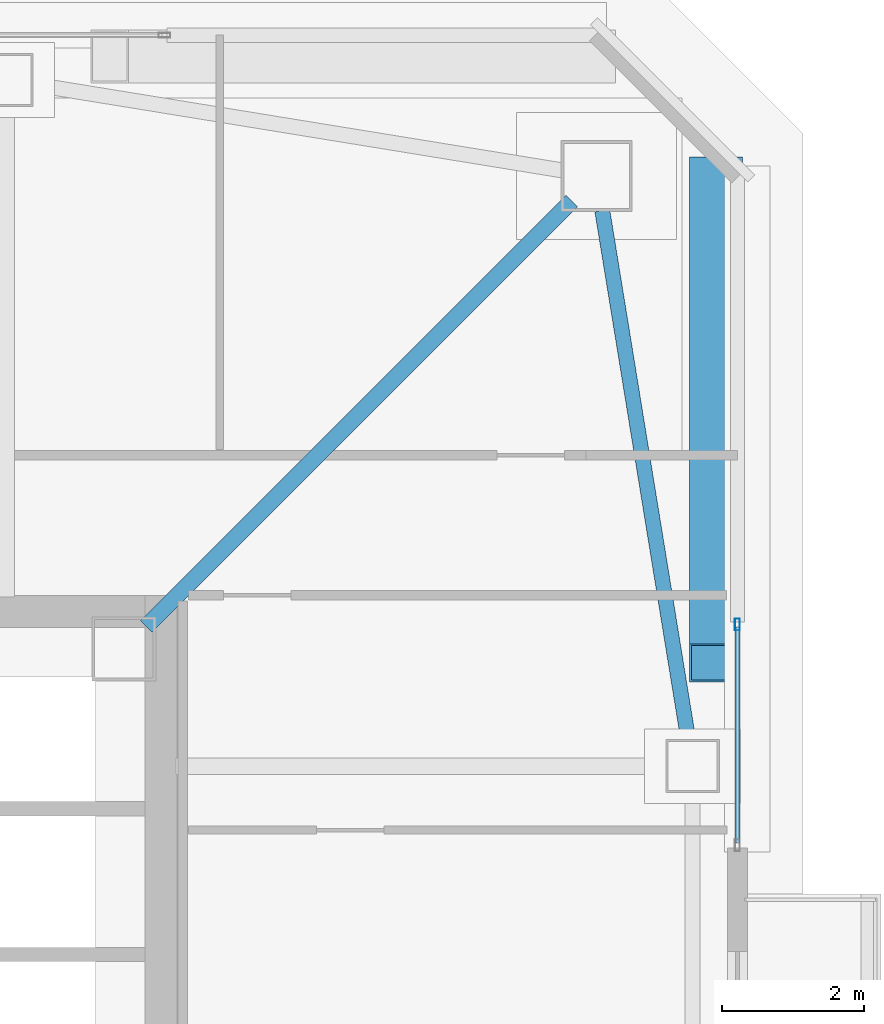
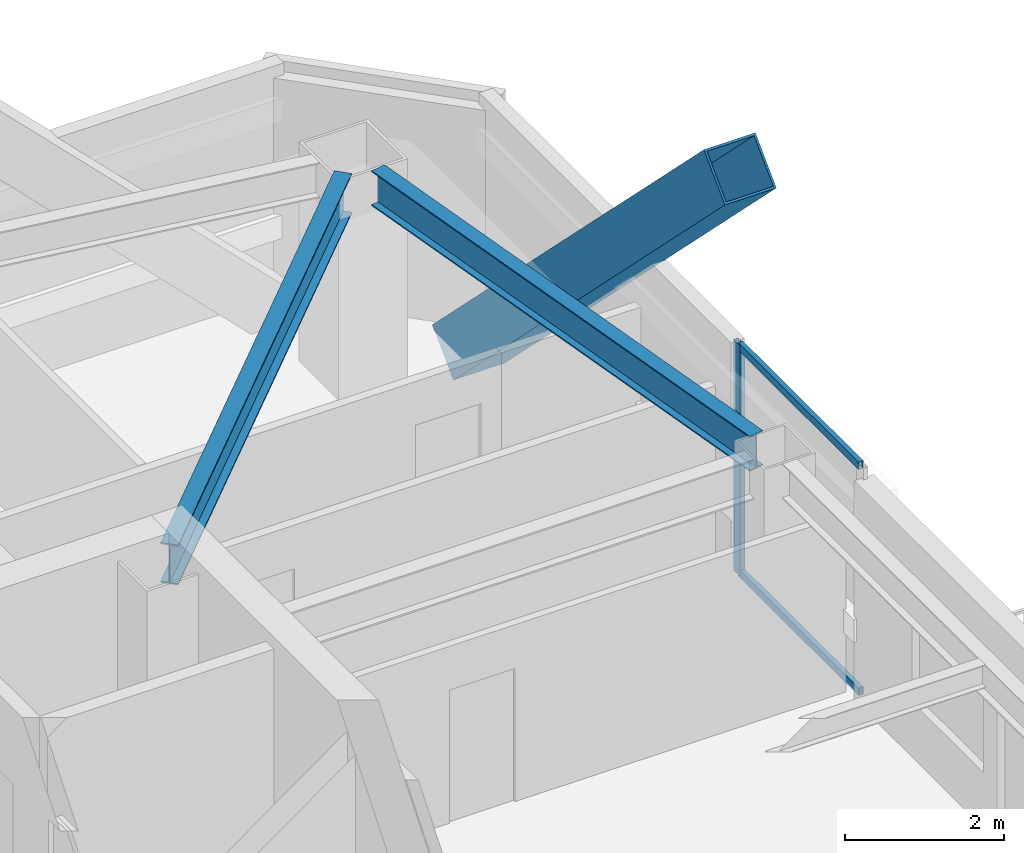
# One storey, part 11 of 39: 4 members, 2 beams, 1 element without a shape of its own.
"""IFC4 building model written with IfcOpenShell, lengths in metres."""

from ifc_helpers import new_model, si_unit, direction, frame, origin, origin_2d, place, context, subcontext, project, spatial, hollow_rectangle, i_section, extrude, material, material_profile, profile_set, type_object, element, aggregate, save


model = new_model("IFC4")

# Units and contexts
model_context = context("Model", 3, precision=1e-05, world=origin(), true_north=direction((0.0, 1.0)))
body_context = subcontext(model_context, "Body", "Model", "MODEL_VIEW")
ifc_project = project(units=[si_unit("LENGTHUNIT", "METRE"), si_unit("AREAUNIT", "SQUARE_METRE"), si_unit("VOLUMEUNIT", "CUBIC_METRE"), si_unit("PLANEANGLEUNIT", "RADIAN"), si_unit("MASSUNIT", "GRAM", prefix="KILO")], contexts=[model_context])

# Site, building, storey
site_placement = place(None, origin())
site = spatial("IfcSite", under=ifc_project, at=site_placement, CompositionType="ELEMENT")
building_placement = place(site_placement, origin())
building = spatial("IfcBuilding", under=site, at=building_placement, Name="Tashvorn Skyway Center", CompositionType="ELEMENT")
storey_placement = place(building_placement, frame((0.0, 0.0, 232.60009765625)))
storey = spatial("IfcBuildingStorey", under=building, at=storey_placement, Name="L63", CompositionType="ELEMENT", Elevation=232.60009765625)

# Beams
ifc_material_1 = material(Name="Steel ASTM A992 Grade 50", Category="steel")
ifc_material_profile_1 = material_profile(ifc_material_1, i_section(OverallWidth=0.22998046875, OverallDepth=0.616943359375, WebThickness=0.01318359375, FlangeThickness=0.022216796875, at=origin_2d()), Name="W24X94")
ifc_profile_set_1 = profile_set([ifc_material_profile_1], Name="Steel ASTM A992 Grade 50")
beam_type_1 = type_object("IfcBeamType", Name="BM-BEAM-W24X94", PredefinedType="BEAM", material=ifc_profile_set_1)
beam_1_placement = place(storey_placement, frame((55.35009765625, 45.35009765625, 3.0615234375), z_axis=(-0.707106781187, -0.707106781187, 0.0), x_axis=(0.707106781187, -0.707106781187, 0.0)))
element("IfcBeam", 1, at=beam_1_placement, inside=storey, type_object=beam_type_1, Name="Tower 1 L63 Primary Floor Girder MC-NE", PredefinedType="BEAM", context=body_context, shape_type="SweptSolid", body=[
    extrude(i_section(OverallWidth=0.22998046875, OverallDepth=0.616943359375, WebThickness=0.01318359375, FlangeThickness=0.022216796875, at=origin_2d()), origin(), (0.0, 0.0, 1.0), 8.464599609375),
])
ifc_material_profile_2 = material_profile(ifc_material_1, i_section(OverallWidth=0.2109375, OverallDepth=0.5390625, WebThickness=0.01171875, FlangeThickness=0.018798828125, at=origin_2d()), Name="W21X73")
ifc_profile_set_2 = profile_set([ifc_material_profile_2], Name="Steel ASTM A992 Grade 50")
beam_type_2 = type_object("IfcBeamType", Name="BM-SPANDREL-W21X73", PredefinedType="SPANDREL", material=ifc_profile_set_2)
beam_2_placement = place(storey_placement, frame((56.990478515625, 37.76513671875, 3.100341796875), z_axis=(-0.160514302677, 0.987033514444, 0.0), x_axis=(-0.987033514444, -0.160514302677, 0.0)))
element("IfcBeam", 2, at=beam_2_placement, inside=storey, type_object=beam_type_2, Name="Tower 1 L63 Spandrel Beam 06", PredefinedType="SPANDREL", context=body_context, shape_type="SweptSolid", body=[
    extrude(i_section(OverallWidth=0.2109375, OverallDepth=0.5390625, WebThickness=0.01171875, FlangeThickness=0.018798828125, at=origin_2d()), origin(), (0.0, 0.0, 1.0), 7.544189453125),
])

# Curtain wall, members
ifc_material_2 = material(Name="Thermally broken bronze-anodized aluminium 6063-T6", Category="aluminium")
curtain_wall_type = type_object("IfcCurtainWallType", Name="CW-CW-Z5", PredefinedType="NOTDEFINED", material=ifc_material_2)
curtain_wall_placement = place(storey_placement, origin())
curtain_wall = element("IfcCurtainWall", 3, at=curtain_wall_placement, inside=storey, type_object=curtain_wall_type, Name="Tower 1 L63 East Curtain Wall L Glazing Group 1", PredefinedType="NOTDEFINED")
ifc_material_profile_3 = material_profile(ifc_material_2, hollow_rectangle(XDim=0.070068359375, YDim=0.1650390625, WallThickness=0.00390625, at=origin_2d()), Name="ALU-MULL-70x165")
ifc_profile_set_3 = profile_set([ifc_material_profile_3], Name="Thermally broken bronze-anodized aluminium 6063-T6")
member_type_1 = type_object("IfcMemberType", Name="CWM-CW-Z5", PredefinedType="MULLION", material=ifc_profile_set_3)
member_1_placement = place(storey_placement, frame((57.679931640625, 39.3916015625, 0.0), z_axis=(0.0, 0.0, 1.0), x_axis=(1.0, 0.0, 0.0)))
member_1 = element("IfcMember", 4, at=member_1_placement, type_object=member_type_1, Name="CW-Z5 mullion 1", PredefinedType="MULLION", context=body_context, shape_type="SweptSolid", body=[
    extrude(hollow_rectangle(XDim=0.070068359375, YDim=0.1650390625, WallThickness=0.00390625, at=origin_2d()), origin(), (0.0, 0.0, 1.0), 3.5498046875),
])
ifc_material_profile_4 = material_profile(ifc_material_2, hollow_rectangle(XDim=0.070068359375, YDim=0.114990234375, WallThickness=0.00390625, at=origin_2d()), Name="ALU-TRAN-70x115")
ifc_profile_set_4 = profile_set([ifc_material_profile_4], Name="Thermally broken bronze-anodized aluminium 6063-T6")
member_type_2 = type_object("IfcMemberType", Name="CWT-CW-Z5", PredefinedType="USERDEFINED", material=ifc_profile_set_4)
member_2_placement = place(storey_placement, frame((57.679931640625, 39.356689453125, 0.034912109375), z_axis=(0.0, -1.0, 0.0), x_axis=(1.0, 0.0, 0.0)))
member_2 = element("IfcMember", 5, at=member_2_placement, type_object=member_type_2, Name="CW-Z5 transom 1.1", ObjectType="TRANSOM", PredefinedType="USERDEFINED", context=body_context, shape_type="SweptSolid", body=[
    extrude(hollow_rectangle(XDim=0.070068359375, YDim=0.114990234375, WallThickness=0.00390625, at=origin_2d()), origin(), (0.0, 0.0, 1.0), 3.03662109375),
])
member_3_placement = place(storey_placement, frame((57.679931640625, 39.356689453125, 3.514892578125), z_axis=(0.0, -1.0, 0.0), x_axis=(1.0, 0.0, 0.0)))
member_3 = element("IfcMember", 6, at=member_3_placement, type_object=member_type_2, Name="CW-Z5 transom 1.2", ObjectType="TRANSOM", PredefinedType="USERDEFINED", context=body_context, shape_type="SweptSolid", body=[
    extrude(hollow_rectangle(XDim=0.070068359375, YDim=0.114990234375, WallThickness=0.00390625, at=origin_2d()), origin(), (0.0, 0.0, 1.0), 3.03662109375),
])
aggregate(curtain_wall, [member_1, member_2, member_3])

# Member
ifc_material_3 = material(Name="Steel ASTM A572 Grade 50", Category="steel")
ifc_material_profile_5 = material_profile(ifc_material_3, hollow_rectangle(XDim=0.75, YDim=0.75, WallThickness=0.031982421875, at=origin_2d()), Name="BOX750x750x32")
ifc_profile_set_5 = profile_set([ifc_material_profile_5], Name="Steel ASTM A572 Grade 50")
member_type_3 = type_object("IfcMemberType", Name="MEM-MB-750", PredefinedType="BRACE", material=ifc_profile_set_5)
member_4_placement = place(storey_placement, frame((57.3798828125, 45.699951171875, -0.2001953125), z_axis=(0.0, -0.707094180045, 0.707119382104), x_axis=(1.0, 0.0, 0.0)))
element("IfcMember", 7, at=member_4_placement, inside=storey, type_object=member_type_3, Name="Tower 1 Zone 6 E Chevron Mega-Brace R1", PredefinedType="BRACE", context=body_context, shape_type="SweptSolid", body=[
    extrude(hollow_rectangle(XDim=0.75, YDim=0.75, WallThickness=0.031982421875, at=origin_2d()), origin(), (0.0, 0.0, 1.0), 9.687255859375),
])

save(model, "model.ifc")
